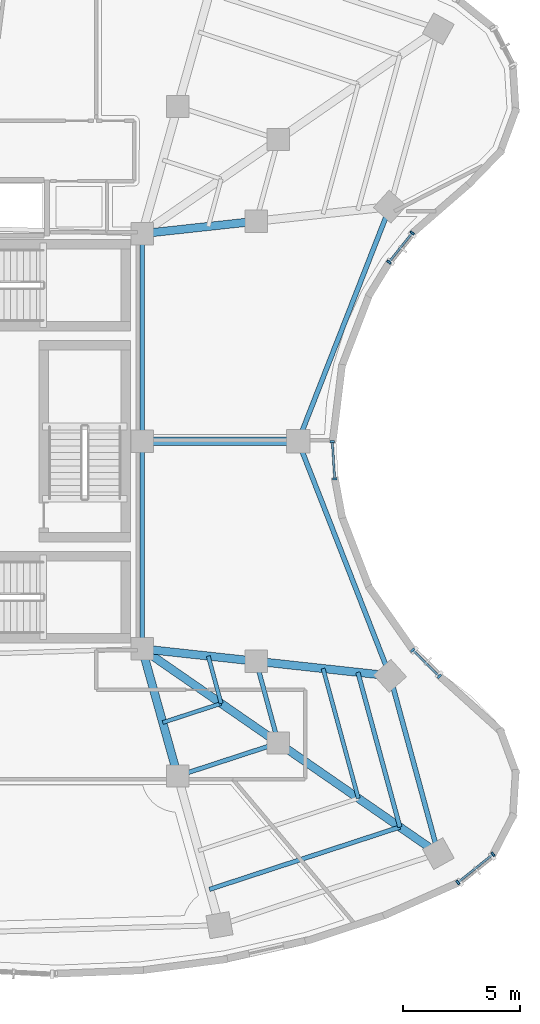
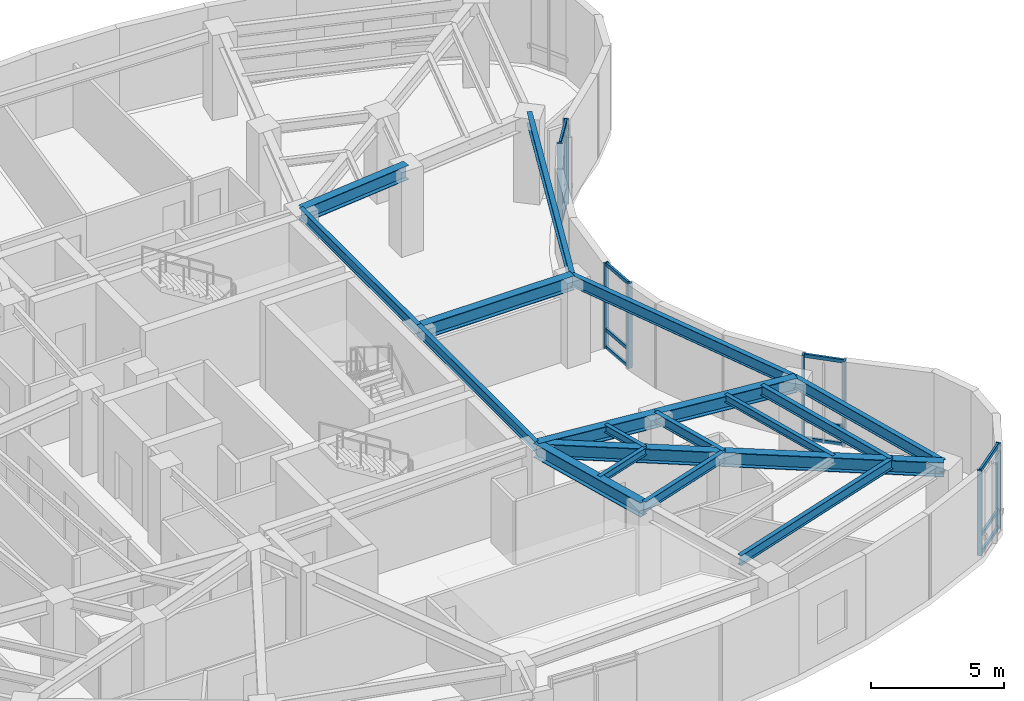
# One storey, part 4 of 15: 20 members, 19 beams, 4 elements without a shape of their own.
"""IFC4 building model written with IfcOpenShell, lengths in metres."""

from ifc_helpers import new_model, si_unit, direction, frame, origin, origin_2d, place, context, subcontext, project, spatial, rectangle, i_section, extrude, material, layer, layer_set, material_profile, profile_set, type_object, element, aggregate, save


model = new_model("IFC4")

# Units and contexts
model_context = context("Model", 3, precision=1e-05, world=origin(), true_north=direction((0.0, 1.0)))
body_context = subcontext(model_context, "Body", "Model", "MODEL_VIEW")
ifc_project = project(units=[si_unit("LENGTHUNIT", "METRE"), si_unit("AREAUNIT", "SQUARE_METRE"), si_unit("VOLUMEUNIT", "CUBIC_METRE"), si_unit("PLANEANGLEUNIT", "RADIAN"), si_unit("MASSUNIT", "GRAM", prefix="KILO")], contexts=[model_context])

# Site, building, storey
site_placement = place(None, origin())
site = spatial("IfcSite", under=ifc_project, at=site_placement, CompositionType="ELEMENT")
building_placement = place(site_placement, origin())
building = spatial("IfcBuilding", under=site, at=building_placement, Name="Korentha Bioscience Tower", CompositionType="ELEMENT")
storey_placement = place(building_placement, frame((0.0, 0.0, 222.60009765625)))
storey = spatial("IfcBuildingStorey", under=building, at=storey_placement, Name="L51", CompositionType="ELEMENT", Elevation=222.60009765625)

# Beams
ifc_material_1 = material(Name="Steel S355", Category="steel")
ifc_material_profile_1 = material_profile(ifc_material_1, i_section(OverallWidth=0.18994140625, OverallDepth=0.45703125, WebThickness=0.009033203125, FlangeThickness=0.014404296875, at=origin_2d()), Name="Steel S355")
ifc_profile_set_1 = profile_set([ifc_material_profile_1], Name="Steel S355 (MB-460)")
beam_type_1 = type_object("IfcBeamType", Name="Mid-Ring Tie Girder W460x74", PredefinedType="BEAM", material=ifc_profile_set_1)
beam_1_placement = place(storey_placement, frame((39.066650390625, 12.730224609375, 3.67138671875), z_axis=(0.950447398506, 0.310885417274, 0.0), x_axis=(-0.310885417274, 0.950447398506, 0.0)))
element("IfcBeam", 1, at=beam_1_placement, inside=storey, type_object=beam_type_1, Name="L51 Mid-Ring Tie Girder 12", PredefinedType="BEAM", context=body_context, shape_type="SweptSolid", body=[
    extrude(i_section(OverallWidth=0.18994140625, OverallDepth=0.45703125, WebThickness=0.009033203125, FlangeThickness=0.014404296875, at=origin_2d()), origin(), (0.0, 0.0, 1.0), 4.5146484375),
])
beam_2_placement = place(storey_placement, frame((43.357666015625, 14.1337890625, 3.67138671875), z_axis=(-0.262122358011, 0.965034646752, 0.0), x_axis=(-0.965034646752, -0.262122358011, 0.0)))
element("IfcBeam", 2, at=beam_2_placement, inside=storey, type_object=beam_type_1, Name="L51 Mid-Ring Tie Girder 13", PredefinedType="BEAM", context=body_context, shape_type="SweptSolid", body=[
    extrude(i_section(OverallWidth=0.18994140625, OverallDepth=0.45703125, WebThickness=0.009033203125, FlangeThickness=0.014404296875, at=origin_2d()), origin(), (0.0, 0.0, 1.0), 3.61279296875),
])
for number, where, z_axis, x_axis, name in (
    (3, (37.550048828125, 18.14990234375, 3.67138671875), (0.0, 1.0, 0.0), (-1.0, 0.0, 0.0), "L51 Core Ring Tie Girder 06"),
    (4, (37.550048828125, 27.0, 3.67138671875), (0.0, 1.0, 0.0), (-1.0, 0.0, 0.0), "L51 Core Ring Tie Girder 07"),
):
    element("IfcBeam", number, at=place(storey_placement, frame(where, z_axis=z_axis, x_axis=x_axis)), inside=storey, type_object=beam_type_1, Name=name, PredefinedType="BEAM", context=body_context, shape_type="SweptSolid", body=[
        extrude(i_section(OverallWidth=0.18994140625, OverallDepth=0.45703125, WebThickness=0.009033203125, FlangeThickness=0.014404296875, at=origin_2d()), origin(), (0.0, 0.0, 1.0), 8.85009765625),
    ])

# Curtain wall, members
ifc_material_2 = material(Name="Thermally Broken Aluminium Frame", Category="aluminium")
ifc_layer_1 = layer(ifc_material_2, 0.219970703125, Name="Thermally Broken Aluminium Frame")
ifc_layer_set_1 = layer_set([ifc_layer_1], Name="Thermally Broken Aluminium Frame (CW-T2)")
curtain_wall_type_1 = type_object("IfcCurtainWallType", Name="Solar-Screened Lab Unitised Curtain Wall CW-T2", PredefinedType="USERDEFINED", material=ifc_layer_set_1)
curtain_wall_1_placement = place(storey_placement, origin())
curtain_wall_1 = element("IfcCurtainWall", 5, at=curtain_wall_1_placement, inside=storey, type_object=curtain_wall_type_1, Name="L51 Curtain Wall 37", ObjectType="UNITISED", PredefinedType="USERDEFINED")
ifc_material_3 = material(Name="Anodised Aluminium 6063-T6", Category="aluminium")
ifc_material_profile_2 = material_profile(ifc_material_3, rectangle(XDim=0.090087890625, YDim=0.199951171875, at=origin_2d()), Name="Anodised Aluminium 6063-T6")
ifc_profile_set_2 = profile_set([ifc_material_profile_2], Name="Anodised Aluminium 6063-T6 (CW-MUL)")
member_type_1 = type_object("IfcMemberType", Name="Mullion RECT 90x200", PredefinedType="MULLION", material=ifc_profile_set_2)
member_1_placement = place(storey_placement, frame((51.01171875, 8.188720703125, 0.0), z_axis=(0.0, 0.0, 1.0), x_axis=(0.779197616162, 0.626778330008, 0.0)))
member_1 = element("IfcMember", 6, at=member_1_placement, type_object=member_type_1, Name="CW-L51-37 Mullion 1", PredefinedType="MULLION", context=body_context, shape_type="SweptSolid", body=[
    extrude(rectangle(XDim=0.090087890625, YDim=0.199951171875, at=origin_2d()), origin(), (0.0, 0.0, 1.0), 3.89990234375),
])
member_2_placement = place(storey_placement, frame((52.5087890625, 9.39306640625, 0.0), z_axis=(0.0, 0.0, 1.0), x_axis=(0.779197616162, 0.626778330008, 0.0)))
member_2 = element("IfcMember", 7, at=member_2_placement, type_object=member_type_1, Name="CW-L51-37 Mullion 2", PredefinedType="MULLION", context=body_context, shape_type="SweptSolid", body=[
    extrude(rectangle(XDim=0.090087890625, YDim=0.199951171875, at=origin_2d()), origin(), (0.0, 0.0, 1.0), 3.89990234375),
])

curtain_wall_2_placement = place(storey_placement, origin())
curtain_wall_2 = element("IfcCurtainWall", 8, at=curtain_wall_2_placement, inside=storey, type_object=curtain_wall_type_1, Name="L51 Curtain Wall 43", ObjectType="UNITISED", PredefinedType="USERDEFINED")
member_3_placement = place(storey_placement, frame((50.2197265625, 16.978759765625, 0.0), z_axis=(0.0, 0.0, 1.0), x_axis=(-0.713258270268, 0.700901305388, 0.0)))
member_3 = element("IfcMember", 9, at=member_3_placement, type_object=member_type_1, Name="CW-L51-43 Mullion 1", PredefinedType="MULLION", context=body_context, shape_type="SweptSolid", body=[
    extrude(rectangle(XDim=0.090087890625, YDim=0.199951171875, at=origin_2d()), origin(), (0.0, 0.0, 1.0), 3.89990234375),
])
member_4_placement = place(storey_placement, frame((49.08349609375, 18.095703125, 0.0), z_axis=(0.0, 0.0, 1.0), x_axis=(-0.713258270268, 0.700901305388, 0.0)))
member_4 = element("IfcMember", 10, at=member_4_placement, type_object=member_type_1, Name="CW-L51-43 Mullion 2", PredefinedType="MULLION", context=body_context, shape_type="SweptSolid", body=[
    extrude(rectangle(XDim=0.090087890625, YDim=0.199951171875, at=origin_2d()), origin(), (0.0, 0.0, 1.0), 3.89990234375),
])

ifc_layer_2 = layer(ifc_material_2, 0.219970703125, Name="Thermally Broken Aluminium Frame")
ifc_layer_set_2 = layer_set([ifc_layer_2], Name="Thermally Broken Aluminium Frame (CW-T1)")
curtain_wall_type_2 = type_object("IfcCurtainWallType", Name="Standard Bioscience Lab Unitised Curtain Wall CW-T1", PredefinedType="USERDEFINED", material=ifc_layer_set_2)
curtain_wall_3_placement = place(storey_placement, origin())
curtain_wall_3 = element("IfcCurtainWall", 11, at=curtain_wall_3_placement, inside=storey, type_object=curtain_wall_type_2, Name="L51 Curtain Wall 49", ObjectType="UNITISED", PredefinedType="USERDEFINED")
member_5_placement = place(storey_placement, frame((45.7568359375, 25.39501953125, 0.0), z_axis=(0.0, 0.0, 1.0), x_axis=(-0.06095424178, 0.998140561449, 0.0)))
member_5 = element("IfcMember", 12, at=member_5_placement, type_object=member_type_1, Name="CW-L51-49 Mullion 1", PredefinedType="MULLION", context=body_context, shape_type="SweptSolid", body=[
    extrude(rectangle(XDim=0.090087890625, YDim=0.199951171875, at=origin_2d()), origin(), (0.0, 0.0, 1.0), 3.89990234375),
])
member_6_placement = place(storey_placement, frame((45.65966796875, 26.985107421875, 0.0), z_axis=(0.0, 0.0, 1.0), x_axis=(-0.06095424178, 0.998140561449, 0.0)))
member_6 = element("IfcMember", 13, at=member_6_placement, type_object=member_type_1, Name="CW-L51-49 Mullion 2", PredefinedType="MULLION", context=body_context, shape_type="SweptSolid", body=[
    extrude(rectangle(XDim=0.090087890625, YDim=0.199951171875, at=origin_2d()), origin(), (0.0, 0.0, 1.0), 3.89990234375),
])

curtain_wall_4_placement = place(storey_placement, origin())
curtain_wall_4 = element("IfcCurtainWall", 14, at=curtain_wall_4_placement, inside=storey, type_object=curtain_wall_type_1, Name="L51 Curtain Wall 55", ObjectType="UNITISED", PredefinedType="USERDEFINED")
member_7_placement = place(storey_placement, frame((48.07177734375, 34.635498046875, 0.0), z_axis=(0.0, 0.0, 1.0), x_axis=(0.622511989066, 0.782610262819, 0.0)))
member_7 = element("IfcMember", 15, at=member_7_placement, type_object=member_type_1, Name="CW-L51-55 Mullion 1", PredefinedType="MULLION", context=body_context, shape_type="SweptSolid", body=[
    extrude(rectangle(XDim=0.090087890625, YDim=0.199951171875, at=origin_2d()), origin(), (0.0, 0.0, 1.0), 3.89990234375),
])
member_8_placement = place(storey_placement, frame((49.063720703125, 35.882568359375, 0.0), z_axis=(0.0, 0.0, 1.0), x_axis=(0.622511989066, 0.782610262819, 0.0)))
member_8 = element("IfcMember", 16, at=member_8_placement, type_object=member_type_1, Name="CW-L51-55 Mullion 2", PredefinedType="MULLION", context=body_context, shape_type="SweptSolid", body=[
    extrude(rectangle(XDim=0.090087890625, YDim=0.199951171875, at=origin_2d()), origin(), (0.0, 0.0, 1.0), 3.89990234375),
])

# Beams
ifc_material_profile_3 = material_profile(ifc_material_1, i_section(OverallWidth=0.208984375, OverallDepth=0.532958984375, WebThickness=0.01025390625, FlangeThickness=0.015625, at=origin_2d()), Name="Steel S355")
ifc_profile_set_3 = profile_set([ifc_material_profile_3], Name="Steel S355 (SB-530)")
beam_type_2 = type_object("IfcBeamType", Name="Perimeter Ring Spandrel Girder W530x92", PredefinedType="SPANDREL", material=ifc_profile_set_3)
beam_3_placement = place(storey_placement, frame((50.175537109375, 9.419189453125, 3.63330078125), z_axis=(-0.26215989838, 0.965024449266, 0.0), x_axis=(-0.965024449266, -0.26215989838, 0.0)))
element("IfcBeam", 17, at=beam_3_placement, inside=storey, type_object=beam_type_2, Name="L51 Perimeter Spandrel Girder 13", PredefinedType="SPANDREL", context=body_context, shape_type="SweptSolid", body=[
    extrude(i_section(OverallWidth=0.208984375, OverallDepth=0.532958984375, WebThickness=0.01025390625, FlangeThickness=0.015625, at=origin_2d()), origin(), (0.0, 0.0, 1.0), 7.854248046875),
])
for number, where, z_axis, x_axis, name in (
    (18, (48.116455078125, 16.998779296875, 3.63330078125), (-0.364482486075, 0.931210243363, 0.0), (-0.931210243363, -0.364482486075, 0.0), "L51 Perimeter Spandrel Girder 14"),
    (19, (44.201904296875, 27.0, 3.63330078125), (0.364482486075, 0.931210243363, 0.0), (-0.931210243363, 0.364482486075, 0.0), "L51 Perimeter Spandrel Girder 15"),
):
    element("IfcBeam", number, at=place(storey_placement, frame(where, z_axis=z_axis, x_axis=x_axis)), inside=storey, type_object=beam_type_2, Name=name, PredefinedType="SPANDREL", context=body_context, shape_type="SweptSolid", body=[
        extrude(i_section(OverallWidth=0.208984375, OverallDepth=0.532958984375, WebThickness=0.01025390625, FlangeThickness=0.015625, at=origin_2d()), origin(), (0.0, 0.0, 1.0), 10.739990234375),
    ])
ifc_material_profile_4 = material_profile(ifc_material_1, i_section(OverallWidth=0.18994140625, OverallDepth=0.45703125, WebThickness=0.009033203125, FlangeThickness=0.014404296875, at=origin_2d()), Name="Steel S355")
ifc_profile_set_4 = profile_set([ifc_material_profile_4], Name="Steel S355 (RB-460)")
beam_type_3 = type_object("IfcBeamType", Name="Radial Laboratory Beam W460x74", PredefinedType="BEAM", material=ifc_profile_set_4)
beam_4_placement = place(storey_placement, frame((40.419677734375, 7.89501953125, 3.67138671875), z_axis=(0.950451488918, 0.310872911674, 0.0), x_axis=(-0.310872911674, 0.950451488918, 0.0)))
element("IfcBeam", 20, at=beam_4_placement, inside=storey, type_object=beam_type_3, Name="L51 Secondary Floor Beam JSTO-12", PredefinedType="BEAM", context=body_context, shape_type="SweptSolid", body=[
    extrude(i_section(OverallWidth=0.18994140625, OverallDepth=0.45703125, WebThickness=0.009033203125, FlangeThickness=0.014404296875, at=origin_2d()), origin(), (0.0, 0.0, 1.0), 8.54296875),
])
beam_5_placement = place(storey_placement, frame((48.539306640625, 10.55078125, 3.67138671875), z_axis=(-0.262165402462, 0.965022954003, 0.0), x_axis=(-0.965022954003, -0.262165402462, 0.0)))
element("IfcBeam", 21, at=beam_5_placement, inside=storey, type_object=beam_type_3, Name="L51 Secondary Floor Beam JSTO-13", PredefinedType="BEAM", context=body_context, shape_type="SweptSolid", body=[
    extrude(i_section(OverallWidth=0.18994140625, OverallDepth=0.45703125, WebThickness=0.009033203125, FlangeThickness=0.014404296875, at=origin_2d()), origin(), (0.0, 0.0, 1.0), 6.836181640625),
])
ifc_material_profile_5 = material_profile(ifc_material_1, i_section(OverallWidth=0.35009765625, OverallDepth=0.64990234375, WebThickness=0.01611328125, FlangeThickness=0.02490234375, at=origin_2d()), Name="Steel S355")
ifc_profile_set_5 = profile_set([ifc_material_profile_5], Name="Steel S355 (RB-650)")
beam_type_4 = type_object("IfcBeamType", Name="Radial Laboratory Girder CVS 650x208", PredefinedType="BEAM", material=ifc_profile_set_5)
beam_6_placement = place(storey_placement, frame((37.550048828125, 18.14990234375, 3.574951171875), z_axis=(0.269480278508, -0.963005908339, 0.0), x_axis=(0.963005908339, 0.269480278508, 0.0)))
element("IfcBeam", 22, at=beam_6_placement, inside=storey, type_object=beam_type_4, Name="L51 Inner Radial Girder 12", PredefinedType="BEAM", context=body_context, shape_type="SweptSolid", body=[
    extrude(i_section(OverallWidth=0.35009765625, OverallDepth=0.64990234375, WebThickness=0.01611328125, FlangeThickness=0.02490234375, at=origin_2d()), origin(), (0.0, 0.0, 1.0), 5.6279296875),
])
beam_7_placement = place(storey_placement, frame((37.550048828125, 18.14990234375, 3.574951171875), z_axis=(0.822493302413, -0.568774795052, 0.0), x_axis=(0.568774795052, 0.822493302413, 0.0)))
element("IfcBeam", 23, at=beam_7_placement, inside=storey, type_object=beam_type_4, Name="L51 Inner Radial Girder 13", PredefinedType="BEAM", context=body_context, shape_type="SweptSolid", body=[
    extrude(i_section(OverallWidth=0.35009765625, OverallDepth=0.64990234375, WebThickness=0.01611328125, FlangeThickness=0.02490234375, at=origin_2d()), origin(), (0.0, 0.0, 1.0), 7.06103515625),
])
beam_8_placement = place(storey_placement, frame((43.357666015625, 14.1337890625, 3.574951171875), z_axis=(0.82250061903, -0.568764214499, 0.0), x_axis=(0.568764214499, 0.82250061903, 0.0)))
element("IfcBeam", 24, at=beam_8_placement, inside=storey, type_object=beam_type_4, Name="L51 Outer Radial Girder 13", PredefinedType="BEAM", context=body_context, shape_type="SweptSolid", body=[
    extrude(i_section(OverallWidth=0.35009765625, OverallDepth=0.64990234375, WebThickness=0.01611328125, FlangeThickness=0.02490234375, at=origin_2d()), origin(), (0.0, 0.0, 1.0), 8.289306640625),
])
beam_9_placement = place(storey_placement, frame((37.550048828125, 18.14990234375, 3.574951171875), z_axis=(0.994117728659, -0.108304854762, 0.0), x_axis=(0.108304854762, 0.994117728659, 0.0)))
element("IfcBeam", 25, at=beam_9_placement, inside=storey, type_object=beam_type_4, Name="L51 Inner Radial Girder 14", PredefinedType="BEAM", context=body_context, shape_type="SweptSolid", body=[
    extrude(i_section(OverallWidth=0.35009765625, OverallDepth=0.64990234375, WebThickness=0.01611328125, FlangeThickness=0.02490234375, at=origin_2d()), origin(), (0.0, 0.0, 1.0), 4.889404296875),
])
beam_10_placement = place(storey_placement, frame((42.41064453125, 17.620361328125, 3.574951171875), z_axis=(0.994118507308, -0.108297707398, 0.0), x_axis=(0.108297707398, 0.994118507308, 0.0)))
element("IfcBeam", 26, at=beam_10_placement, inside=storey, type_object=beam_type_4, Name="L51 Outer Radial Girder 14", PredefinedType="BEAM", context=body_context, shape_type="SweptSolid", body=[
    extrude(i_section(OverallWidth=0.35009765625, OverallDepth=0.64990234375, WebThickness=0.01611328125, FlangeThickness=0.02490234375, at=origin_2d()), origin(), (0.0, 0.0, 1.0), 5.739501953125),
])
beam_11_placement = place(storey_placement, frame((37.550048828125, 27.0, 3.574951171875), z_axis=(1.0, 0.0, 0.0), x_axis=(0.0, 1.0, 0.0)))
element("IfcBeam", 27, at=beam_11_placement, inside=storey, type_object=beam_type_4, Name="L51 Radial Girder 15", PredefinedType="BEAM", context=body_context, shape_type="SweptSolid", body=[
    extrude(i_section(OverallWidth=0.35009765625, OverallDepth=0.64990234375, WebThickness=0.01611328125, FlangeThickness=0.02490234375, at=origin_2d()), origin(), (0.0, 0.0, 1.0), 6.65185546875),
])
beam_12_placement = place(storey_placement, frame((37.550048828125, 35.85009765625, 3.574951171875), z_axis=(0.994117728659, 0.108304854762, 0.0), x_axis=(-0.108304854762, 0.994117728659, 0.0)))
element("IfcBeam", 28, at=beam_12_placement, inside=storey, type_object=beam_type_4, Name="L51 Inner Radial Girder 16", PredefinedType="BEAM", context=body_context, shape_type="SweptSolid", body=[
    extrude(i_section(OverallWidth=0.35009765625, OverallDepth=0.64990234375, WebThickness=0.01611328125, FlangeThickness=0.02490234375, at=origin_2d()), origin(), (0.0, 0.0, 1.0), 4.889404296875),
])
ifc_material_profile_6 = material_profile(ifc_material_1, i_section(OverallWidth=0.1708984375, OverallDepth=0.35498046875, WebThickness=0.007080078125, FlangeThickness=0.01171875, at=origin_2d()), Name="Steel S355")
ifc_profile_set_6 = profile_set([ifc_material_profile_6], Name="Steel S355 (JB-360)")
beam_type_5 = type_object("IfcBeamType", Name="Secondary Laboratory Joist W360x51", PredefinedType="JOIST", material=ifc_profile_set_6)
beam_13_placement = place(storey_placement, frame((38.4296875, 15.006591796875, 3.722412109375), z_axis=(0.950458247894, 0.31085224627, 0.0), x_axis=(-0.31085224627, 0.950458247894, 0.0)))
element("IfcBeam", 29, at=beam_13_placement, inside=storey, type_object=beam_type_5, Name="L51 Inner Bay Joist 12", PredefinedType="JOIST", context=body_context, shape_type="SweptSolid", body=[
    extrude(i_section(OverallWidth=0.1708984375, OverallDepth=0.35498046875, WebThickness=0.007080078125, FlangeThickness=0.01171875, at=origin_2d()), origin(), (0.0, 0.0, 1.0), 2.618408203125),
])
beam_14_placement = place(storey_placement, frame((46.7666015625, 11.776611328125, 3.722412109375), z_axis=(-0.262133629198, 0.965031585205, 0.0), x_axis=(-0.965031585205, -0.262133629198, 0.0)))
element("IfcBeam", 30, at=beam_14_placement, inside=storey, type_object=beam_type_5, Name="L51 Secondary Floor Beam JST-13", PredefinedType="JOIST", context=body_context, shape_type="SweptSolid", body=[
    extrude(i_section(OverallWidth=0.1708984375, OverallDepth=0.35498046875, WebThickness=0.007080078125, FlangeThickness=0.01171875, at=origin_2d()), origin(), (0.0, 0.0, 1.0), 5.7333984375),
])
beam_15_placement = place(storey_placement, frame((40.91845703125, 15.820556640625, 3.722412109375), z_axis=(-0.262141298938, 0.965029501824, 0.0), x_axis=(-0.965029501824, -0.262141298938, 0.0)))
element("IfcBeam", 31, at=beam_15_placement, inside=storey, type_object=beam_type_5, Name="L51 Inner Bay Joist 13", PredefinedType="JOIST", context=body_context, shape_type="SweptSolid", body=[
    extrude(i_section(OverallWidth=0.1708984375, OverallDepth=0.35498046875, WebThickness=0.007080078125, FlangeThickness=0.01171875, at=origin_2d()), origin(), (0.0, 0.0, 1.0), 2.095458984375),
])

# Member
ifc_material_profile_7 = material_profile(ifc_material_3, rectangle(XDim=0.090087890625, YDim=0.159912109375, at=origin_2d()), Name="Anodised Aluminium 6063-T6")
ifc_profile_set_7 = profile_set([ifc_material_profile_7], Name="Anodised Aluminium 6063-T6 (CW-TRN)")
member_type_2 = type_object("IfcMemberType", Name="Transom RECT 90x160", PredefinedType="USERDEFINED", material=ifc_profile_set_7)
member_9_placement = place(storey_placement, frame((51.046630859375, 8.216796875, 0.044921875), z_axis=(0.779227601678, 0.62674105082, 0.0), x_axis=(-0.62674105082, 0.779227601678, 0.0)))
member_9 = element("IfcMember", 32, at=member_9_placement, type_object=member_type_2, Name="CW-L51-37 Bay 1 Transom 1", ObjectType="TRANSOM", PredefinedType="USERDEFINED", context=body_context, shape_type="SweptSolid", body=[
    extrude(rectangle(XDim=0.090087890625, YDim=0.159912109375, at=origin_2d()), origin(), (0.0, 0.0, 1.0), 1.83154296875),
])

member_10_placement = place(storey_placement, frame((51.046630859375, 8.216796875, 0.849853515625), z_axis=(0.779227601678, 0.62674105082, 0.0), x_axis=(-0.62674105082, 0.779227601678, 0.0)))
member_10 = element("IfcMember", 33, at=member_10_placement, type_object=member_type_2, Name="CW-L51-37 Bay 1 Transom 2", ObjectType="TRANSOM", PredefinedType="USERDEFINED", context=body_context, shape_type="SweptSolid", body=[
    extrude(rectangle(XDim=0.090087890625, YDim=0.159912109375, at=origin_2d()), origin(), (0.0, 0.0, 1.0), 1.83154296875),
])

member_11_placement = place(storey_placement, frame((51.046630859375, 8.216796875, 3.85498046875), z_axis=(0.779227601678, 0.62674105082, 0.0), x_axis=(-0.62674105082, 0.779227601678, 0.0)))
member_11 = element("IfcMember", 34, at=member_11_placement, type_object=member_type_2, Name="CW-L51-37 Bay 1 Transom 3", ObjectType="TRANSOM", PredefinedType="USERDEFINED", context=body_context, shape_type="SweptSolid", body=[
    extrude(rectangle(XDim=0.090087890625, YDim=0.159912109375, at=origin_2d()), origin(), (0.0, 0.0, 1.0), 1.83154296875),
])

aggregate(curtain_wall_1, [member_1, member_2, member_9, member_10, member_11])

member_12_placement = place(storey_placement, frame((50.187744140625, 17.010498046875, 0.044921875), z_axis=(-0.713332158059, 0.700826107018, 0.0), x_axis=(-0.700826107018, -0.713332158059, 0.0)))
member_12 = element("IfcMember", 35, at=member_12_placement, type_object=member_type_2, Name="CW-L51-43 Bay 1 Transom 1", ObjectType="TRANSOM", PredefinedType="USERDEFINED", context=body_context, shape_type="SweptSolid", body=[
    extrude(rectangle(XDim=0.090087890625, YDim=0.159912109375, at=origin_2d()), origin(), (0.0, 0.0, 1.0), 1.503173828125),
])

member_13_placement = place(storey_placement, frame((50.187744140625, 17.010498046875, 0.849853515625), z_axis=(-0.713332158059, 0.700826107018, 0.0), x_axis=(-0.700826107018, -0.713332158059, 0.0)))
member_13 = element("IfcMember", 36, at=member_13_placement, type_object=member_type_2, Name="CW-L51-43 Bay 1 Transom 2", ObjectType="TRANSOM", PredefinedType="USERDEFINED", context=body_context, shape_type="SweptSolid", body=[
    extrude(rectangle(XDim=0.090087890625, YDim=0.159912109375, at=origin_2d()), origin(), (0.0, 0.0, 1.0), 1.503173828125),
])

member_14_placement = place(storey_placement, frame((50.187744140625, 17.010498046875, 3.85498046875), z_axis=(-0.713332158059, 0.700826107018, 0.0), x_axis=(-0.700826107018, -0.713332158059, 0.0)))
member_14 = element("IfcMember", 37, at=member_14_placement, type_object=member_type_2, Name="CW-L51-43 Bay 1 Transom 3", ObjectType="TRANSOM", PredefinedType="USERDEFINED", context=body_context, shape_type="SweptSolid", body=[
    extrude(rectangle(XDim=0.090087890625, YDim=0.159912109375, at=origin_2d()), origin(), (0.0, 0.0, 1.0), 1.503173828125),
])

aggregate(curtain_wall_2, [member_3, member_4, member_12, member_13, member_14])

member_15_placement = place(storey_placement, frame((45.75390625, 25.439697265625, 0.044921875), z_axis=(-0.060902034753, 0.998143748246, 0.0), x_axis=(-0.998143748246, -0.060902034753, 0.0)))
member_15 = element("IfcMember", 38, at=member_15_placement, type_object=member_type_2, Name="CW-L51-49 Bay 1 Transom 1", ObjectType="TRANSOM", PredefinedType="USERDEFINED", context=body_context, shape_type="SweptSolid", body=[
    extrude(rectangle(XDim=0.090087890625, YDim=0.159912109375, at=origin_2d()), origin(), (0.0, 0.0, 1.0), 1.503173828125),
])

member_16_placement = place(storey_placement, frame((45.75390625, 25.439697265625, 0.849853515625), z_axis=(-0.060902034753, 0.998143748246, 0.0), x_axis=(-0.998143748246, -0.060902034753, 0.0)))
member_16 = element("IfcMember", 39, at=member_16_placement, type_object=member_type_2, Name="CW-L51-49 Bay 1 Transom 2", ObjectType="TRANSOM", PredefinedType="USERDEFINED", context=body_context, shape_type="SweptSolid", body=[
    extrude(rectangle(XDim=0.090087890625, YDim=0.159912109375, at=origin_2d()), origin(), (0.0, 0.0, 1.0), 1.503173828125),
])

member_17_placement = place(storey_placement, frame((45.75390625, 25.439697265625, 3.85498046875), z_axis=(-0.060902034753, 0.998143748246, 0.0), x_axis=(-0.998143748246, -0.060902034753, 0.0)))
member_17 = element("IfcMember", 40, at=member_17_placement, type_object=member_type_2, Name="CW-L51-49 Bay 1 Transom 3", ObjectType="TRANSOM", PredefinedType="USERDEFINED", context=body_context, shape_type="SweptSolid", body=[
    extrude(rectangle(XDim=0.090087890625, YDim=0.159912109375, at=origin_2d()), origin(), (0.0, 0.0, 1.0), 1.503173828125),
])

aggregate(curtain_wall_3, [member_5, member_6, member_15, member_16, member_17])

member_18_placement = place(storey_placement, frame((48.099609375, 34.670654296875, 0.044921875), z_axis=(0.622514525424, 0.782608245316, 0.0), x_axis=(-0.782608245316, 0.622514525424, 0.0)))
member_18 = element("IfcMember", 41, at=member_18_placement, type_object=member_type_2, Name="CW-L51-55 Bay 1 Transom 1", ObjectType="TRANSOM", PredefinedType="USERDEFINED", context=body_context, shape_type="SweptSolid", body=[
    extrude(rectangle(XDim=0.090087890625, YDim=0.159912109375, at=origin_2d()), origin(), (0.0, 0.0, 1.0), 1.503662109375),
])

member_19_placement = place(storey_placement, frame((48.099609375, 34.670654296875, 0.849853515625), z_axis=(0.622514525424, 0.782608245316, 0.0), x_axis=(-0.782608245316, 0.622514525424, 0.0)))
member_19 = element("IfcMember", 42, at=member_19_placement, type_object=member_type_2, Name="CW-L51-55 Bay 1 Transom 2", ObjectType="TRANSOM", PredefinedType="USERDEFINED", context=body_context, shape_type="SweptSolid", body=[
    extrude(rectangle(XDim=0.090087890625, YDim=0.159912109375, at=origin_2d()), origin(), (0.0, 0.0, 1.0), 1.503662109375),
])

member_20_placement = place(storey_placement, frame((48.099609375, 34.670654296875, 3.85498046875), z_axis=(0.622514525424, 0.782608245316, 0.0), x_axis=(-0.782608245316, 0.622514525424, 0.0)))
member_20 = element("IfcMember", 43, at=member_20_placement, type_object=member_type_2, Name="CW-L51-55 Bay 1 Transom 3", ObjectType="TRANSOM", PredefinedType="USERDEFINED", context=body_context, shape_type="SweptSolid", body=[
    extrude(rectangle(XDim=0.090087890625, YDim=0.159912109375, at=origin_2d()), origin(), (0.0, 0.0, 1.0), 1.503662109375),
])

aggregate(curtain_wall_4, [member_7, member_8, member_18, member_19, member_20])

save(model, "model.ifc")
